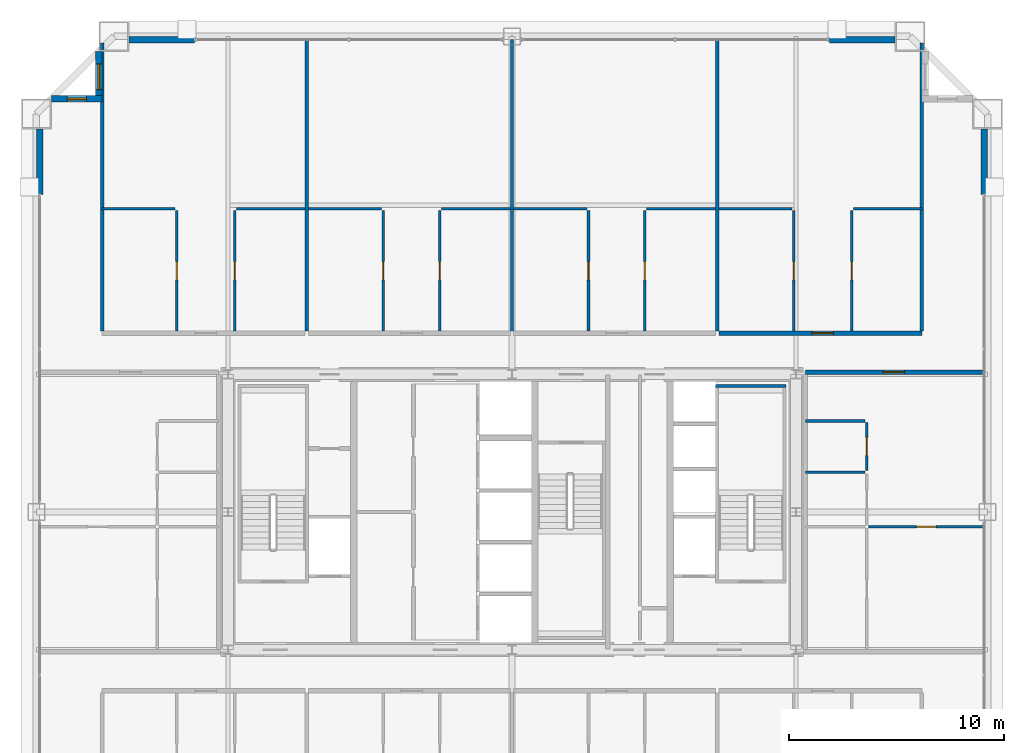
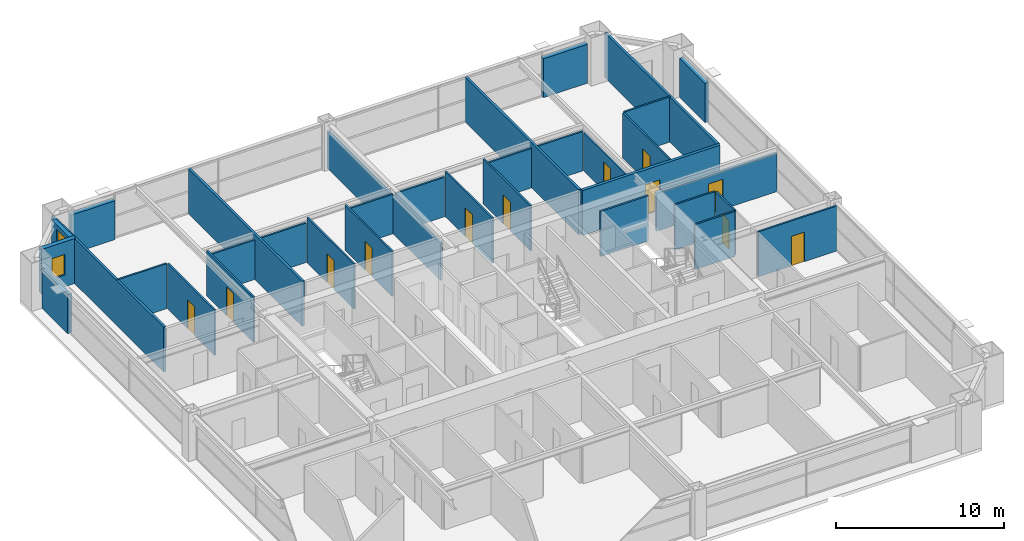
# One storey, part 36 of 38: 34 walls, 12 doors, 2 windows, 14 openings.
"""IFC4 building model written with IfcOpenShell, lengths in metres."""

from ifc_helpers import new_model, si_unit, direction, frame, frame_2d, origin, place, context, subcontext, project, spatial, rectangle, extrude, source, transform, mapped, material, layer, layer_set, type_object, element, fill, save


model = new_model("IFC4")

# Units and contexts
model_context = context("Model", 3, precision=1e-05, world=origin(), true_north=direction((0.0, 1.0)))
body_context = subcontext(model_context, "Body", "Model", "MODEL_VIEW")
ifc_project = project(units=[si_unit("LENGTHUNIT", "METRE"), si_unit("AREAUNIT", "SQUARE_METRE"), si_unit("VOLUMEUNIT", "CUBIC_METRE"), si_unit("PLANEANGLEUNIT", "RADIAN"), si_unit("MASSUNIT", "GRAM", prefix="KILO"), si_unit("THERMODYNAMICTEMPERATUREUNIT", "KELVIN"), si_unit("POWERUNIT", "WATT")], contexts=[model_context])

# Site, building, storey
site_placement = place(None, origin())
site = spatial("IfcSite", under=ifc_project, at=site_placement, CompositionType="ELEMENT")
building_placement = place(site_placement, origin())
building = spatial("IfcBuilding", under=site, at=building_placement, Name="Yuzanri Waterfront Tower", CompositionType="ELEMENT")
storey_placement = place(building_placement, frame((0.0, 0.0, 181.0)))
storey = spatial("IfcBuildingStorey", under=building, at=storey_placement, Name="L47", CompositionType="ELEMENT", Elevation=181.0)

# Wall, opening, door
ifc_material_1 = material(Name="Moisture-Resistant Gypsum Stud Wall", Category="gypsum")
ifc_layer_1 = layer(ifc_material_1, 0.1201171875)
ifc_layer_set_1 = layer_set([ifc_layer_1], Name="Moisture-Resistant Gypsum Stud Wall")
wall_type_1 = type_object("IfcWallType", Name="Bathroom and Kitchen Wet Partition 120", PredefinedType="PARTITIONING", material=ifc_layer_set_1)
wall_1_placement = place(storey_placement, frame((21.419921875, 34.2099609375, 0.0), z_axis=(0.0, 0.0, 1.0), x_axis=(0.0, 1.0, 0.0)))
wall_1 = element("IfcWall", 1, at=wall_1_placement, inside=storey, type_object=wall_type_1, Name="L47 Partition UW-L47-RN1-SUB-1-E", PredefinedType="PARTITIONING", context=body_context, shape_type="SweptSolid", body=[
    extrude(rectangle(XDim=5.610107421875, YDim=0.1201171875, at=frame_2d((2.80517578125, 0.0))), origin(), (0.0, 0.0, 1.0), 3.280029296875),
])
opening_1_placement = place(wall_1_placement, frame((2.3798828125, 0.0, 0.0)))
opening_1 = element("IfcOpeningElement", 2, at=opening_1_placement, cuts=wall_1, Name="Opening ID-0850", PredefinedType="OPENING", context=body_context, shape_type="SweptSolid", body=[
    extrude(rectangle(XDim=0.85009765625, YDim=2.10009765625, at=frame_2d((0.425048828125, 1.050048828125))), frame((0.0, 0.074951171875, 0.0), z_axis=(0.0, -1.0, 0.0), x_axis=(1.0, 0.0, 0.0)), (0.0, 0.0, 1.0), 0.14990234375),
])
ifc_material_2 = material(Name="Moisture-Resistant Lacquered Timber", Category="wood")
door_type_1 = type_object("IfcDoorType", Name="En-Suite Bathroom and Kitchen Swing Door 850x2100", OperationType="NOTDEFINED", PredefinedType="DOOR", material=ifc_material_2)
shared_shape_1 = source(origin(), body_context, "Body", "SweptSolid", [
    extrude(rectangle(XDim=0.85009765625, YDim=2.10009765625, at=frame_2d((0.425048828125, 1.050048828125))), frame((0.0, 0.02490234375, 0.0), z_axis=(0.0, -1.0, 0.0), x_axis=(1.0, 0.0, 0.0)), (0.0, 0.0, 1.0), 0.050048828125),
])
door_1_placement = place(opening_1_placement, origin())
door_1 = element("IfcDoor", 3, at=door_1_placement, inside=storey, type_object=door_type_1, Name="L47 Suite Interior Room Door", OperationType="SINGLE_SWING_LEFT", OverallHeight=2.10009765625, OverallWidth=0.85009765625, PredefinedType="DOOR", context=body_context, shape_type="MappedRepresentation", body=[
    mapped(shared_shape_1, transform((0.0, 0.0, 0.0), scale=1.0)),
])
fill(opening_1, door_1)

wall_2_placement = place(storey_placement, frame((24.110107421875, 34.2099609375, 0.0), z_axis=(0.0, 0.0, 1.0), x_axis=(0.0, 1.0, 0.0)))
wall_2 = element("IfcWall", 4, at=wall_2_placement, inside=storey, type_object=wall_type_1, Name="L47 Partition UW-L47-RN1-SUB-2-W", PredefinedType="PARTITIONING", context=body_context, shape_type="SweptSolid", body=[
    extrude(rectangle(XDim=5.610107421875, YDim=0.1201171875, at=frame_2d((2.80517578125, 0.0))), origin(), (0.0, 0.0, 1.0), 3.280029296875),
])
opening_2_placement = place(wall_2_placement, frame((2.3798828125, 0.0, 0.0)))
opening_2 = element("IfcOpeningElement", 5, at=opening_2_placement, cuts=wall_2, Name="Opening ID-0850", PredefinedType="OPENING", context=body_context, shape_type="SweptSolid", body=[
    extrude(rectangle(XDim=0.85009765625, YDim=2.10009765625, at=frame_2d((0.425048828125, 1.050048828125))), frame((0.0, 0.074951171875, 0.0), z_axis=(0.0, -1.0, 0.0), x_axis=(1.0, 0.0, 0.0)), (0.0, 0.0, 1.0), 0.14990234375),
])
door_2_placement = place(opening_2_placement, origin())
door_2 = element("IfcDoor", 6, at=door_2_placement, inside=storey, type_object=door_type_1, Name="L47 Suite Interior Room Door", OperationType="SINGLE_SWING_RIGHT", OverallHeight=2.10009765625, OverallWidth=0.85009765625, PredefinedType="DOOR", context=body_context, shape_type="MappedRepresentation", body=[
    mapped(shared_shape_1, transform((0.0, 0.0, 0.0), scale=1.0)),
])
fill(opening_2, door_2)

wall_3_placement = place(storey_placement, frame((31.02392578125, 34.2099609375, 0.0), z_axis=(0.0, 0.0, 1.0), x_axis=(0.0, 1.0, 0.0)))
wall_3 = element("IfcWall", 7, at=wall_3_placement, inside=storey, type_object=wall_type_1, Name="L47 Partition UW-L47-RN2-SUB-1-E", PredefinedType="PARTITIONING", context=body_context, shape_type="SweptSolid", body=[
    extrude(rectangle(XDim=5.610107421875, YDim=0.1201171875, at=frame_2d((2.80517578125, 0.0))), origin(), (0.0, 0.0, 1.0), 3.280029296875),
])
opening_3_placement = place(wall_3_placement, frame((2.3798828125, 0.0, 0.0)))
opening_3 = element("IfcOpeningElement", 8, at=opening_3_placement, cuts=wall_3, Name="Opening ID-0850", PredefinedType="OPENING", context=body_context, shape_type="SweptSolid", body=[
    extrude(rectangle(XDim=0.85009765625, YDim=2.10009765625, at=frame_2d((0.425048828125, 1.050048828125))), frame((0.0, 0.074951171875, 0.0), z_axis=(0.0, -1.0, 0.0), x_axis=(1.0, 0.0, 0.0)), (0.0, 0.0, 1.0), 0.14990234375),
])
door_3_placement = place(opening_3_placement, origin())
door_3 = element("IfcDoor", 9, at=door_3_placement, inside=storey, type_object=door_type_1, Name="L47 Suite Interior Room Door", OperationType="SINGLE_SWING_RIGHT", OverallHeight=2.10009765625, OverallWidth=0.85009765625, PredefinedType="DOOR", context=body_context, shape_type="MappedRepresentation", body=[
    mapped(shared_shape_1, transform((0.0, 0.0, 0.0), scale=1.0)),
])
fill(opening_3, door_3)

wall_4_placement = place(storey_placement, frame((33.639892578125, 34.2099609375, 0.0), z_axis=(0.0, 0.0, 1.0), x_axis=(0.0, 1.0, 0.0)))
wall_4 = element("IfcWall", 10, at=wall_4_placement, inside=storey, type_object=wall_type_1, Name="L47 Partition UW-L47-RN2-SUB-2-W", PredefinedType="PARTITIONING", context=body_context, shape_type="SweptSolid", body=[
    extrude(rectangle(XDim=5.610107421875, YDim=0.1201171875, at=frame_2d((2.80517578125, 0.0))), origin(), (0.0, 0.0, 1.0), 3.280029296875),
])
opening_4_placement = place(wall_4_placement, frame((2.3798828125, 0.0, 0.0)))
opening_4 = element("IfcOpeningElement", 11, at=opening_4_placement, cuts=wall_4, Name="Opening ID-0850", PredefinedType="OPENING", context=body_context, shape_type="SweptSolid", body=[
    extrude(rectangle(XDim=0.85009765625, YDim=2.10009765625, at=frame_2d((0.425048828125, 1.050048828125))), frame((0.0, 0.074951171875, 0.0), z_axis=(0.0, -1.0, 0.0), x_axis=(1.0, 0.0, 0.0)), (0.0, 0.0, 1.0), 0.14990234375),
])
door_4_placement = place(opening_4_placement, origin())
door_4 = element("IfcDoor", 12, at=door_4_placement, inside=storey, type_object=door_type_1, Name="L47 Suite Interior Room Door", OperationType="SINGLE_SWING_LEFT", OverallHeight=2.10009765625, OverallWidth=0.85009765625, PredefinedType="DOOR", context=body_context, shape_type="MappedRepresentation", body=[
    mapped(shared_shape_1, transform((0.0, 0.0, 0.0), scale=1.0)),
])
fill(opening_4, door_4)

wall_5_placement = place(storey_placement, frame((40.553955078125, 34.2099609375, 0.0), z_axis=(0.0, 0.0, 1.0), x_axis=(0.0, 1.0, 0.0)))
wall_5 = element("IfcWall", 13, at=wall_5_placement, inside=storey, type_object=wall_type_1, Name="L47 Partition UW-L47-RN3-SUB-1-E", PredefinedType="PARTITIONING", context=body_context, shape_type="SweptSolid", body=[
    extrude(rectangle(XDim=5.610107421875, YDim=0.1201171875, at=frame_2d((2.80517578125, 0.0))), origin(), (0.0, 0.0, 1.0), 3.280029296875),
])
opening_5_placement = place(wall_5_placement, frame((2.3798828125, 0.0, 0.0)))
opening_5 = element("IfcOpeningElement", 14, at=opening_5_placement, cuts=wall_5, Name="Opening ID-0850", PredefinedType="OPENING", context=body_context, shape_type="SweptSolid", body=[
    extrude(rectangle(XDim=0.85009765625, YDim=2.10009765625, at=frame_2d((0.425048828125, 1.050048828125))), frame((0.0, 0.074951171875, 0.0), z_axis=(0.0, -1.0, 0.0), x_axis=(1.0, 0.0, 0.0)), (0.0, 0.0, 1.0), 0.14990234375),
])
door_5_placement = place(opening_5_placement, origin())
door_5 = element("IfcDoor", 15, at=door_5_placement, inside=storey, type_object=door_type_1, Name="L47 Suite Interior Room Door", OperationType="SINGLE_SWING_LEFT", OverallHeight=2.10009765625, OverallWidth=0.85009765625, PredefinedType="DOOR", context=body_context, shape_type="MappedRepresentation", body=[
    mapped(shared_shape_1, transform((0.0, 0.0, 0.0), scale=1.0)),
])
fill(opening_5, door_5)

wall_6_placement = place(storey_placement, frame((43.169921875, 34.2099609375, 0.0), z_axis=(0.0, 0.0, 1.0), x_axis=(0.0, 1.0, 0.0)))
wall_6 = element("IfcWall", 16, at=wall_6_placement, inside=storey, type_object=wall_type_1, Name="L47 Partition UW-L47-RN3-SUB-2-W", PredefinedType="PARTITIONING", context=body_context, shape_type="SweptSolid", body=[
    extrude(rectangle(XDim=5.610107421875, YDim=0.1201171875, at=frame_2d((2.80517578125, 0.0))), origin(), (0.0, 0.0, 1.0), 3.280029296875),
])
opening_6_placement = place(wall_6_placement, frame((2.3798828125, 0.0, 0.0)))
opening_6 = element("IfcOpeningElement", 17, at=opening_6_placement, cuts=wall_6, Name="Opening ID-0850", PredefinedType="OPENING", context=body_context, shape_type="SweptSolid", body=[
    extrude(rectangle(XDim=0.85009765625, YDim=2.10009765625, at=frame_2d((0.425048828125, 1.050048828125))), frame((0.0, 0.074951171875, 0.0), z_axis=(0.0, -1.0, 0.0), x_axis=(1.0, 0.0, 0.0)), (0.0, 0.0, 1.0), 0.14990234375),
])
door_6_placement = place(opening_6_placement, origin())
door_6 = element("IfcDoor", 18, at=door_6_placement, inside=storey, type_object=door_type_1, Name="L47 Suite Interior Room Door", OperationType="SINGLE_SWING_RIGHT", OverallHeight=2.10009765625, OverallWidth=0.85009765625, PredefinedType="DOOR", context=body_context, shape_type="MappedRepresentation", body=[
    mapped(shared_shape_1, transform((0.0, 0.0, 0.0), scale=1.0)),
])
fill(opening_6, door_6)

wall_7_placement = place(storey_placement, frame((50.090087890625, 34.2099609375, 0.0), z_axis=(0.0, 0.0, 1.0), x_axis=(0.0, 1.0, 0.0)))
wall_7 = element("IfcWall", 19, at=wall_7_placement, inside=storey, type_object=wall_type_1, Name="L47 Partition UW-L47-RN4-SUB-1-E", PredefinedType="PARTITIONING", context=body_context, shape_type="SweptSolid", body=[
    extrude(rectangle(XDim=5.610107421875, YDim=0.1201171875, at=frame_2d((2.80517578125, 0.0))), origin(), (0.0, 0.0, 1.0), 2.77490234375),
])
opening_7_placement = place(wall_7_placement, frame((2.3798828125, 0.0, 0.0)))
opening_7 = element("IfcOpeningElement", 20, at=opening_7_placement, cuts=wall_7, Name="Opening ID-0850", PredefinedType="OPENING", context=body_context, shape_type="SweptSolid", body=[
    extrude(rectangle(XDim=0.85009765625, YDim=2.10009765625, at=frame_2d((0.425048828125, 1.050048828125))), frame((0.0, 0.074951171875, 0.0), z_axis=(0.0, -1.0, 0.0), x_axis=(1.0, 0.0, 0.0)), (0.0, 0.0, 1.0), 0.14990234375),
])
door_7_placement = place(opening_7_placement, origin())
door_7 = element("IfcDoor", 21, at=door_7_placement, inside=storey, type_object=door_type_1, Name="L47 Suite Interior Room Door", OperationType="SINGLE_SWING_RIGHT", OverallHeight=2.10009765625, OverallWidth=0.85009765625, PredefinedType="DOOR", context=body_context, shape_type="MappedRepresentation", body=[
    mapped(shared_shape_1, transform((0.0, 0.0, 0.0), scale=1.0)),
])
fill(opening_7, door_7)

wall_8_placement = place(storey_placement, frame((52.780029296875, 34.2099609375, 0.0), z_axis=(0.0, 0.0, 1.0), x_axis=(0.0, 1.0, 0.0)))
wall_8 = element("IfcWall", 22, at=wall_8_placement, inside=storey, type_object=wall_type_1, Name="L47 Partition UW-L47-RN4-SUB-2-W", PredefinedType="PARTITIONING", context=body_context, shape_type="SweptSolid", body=[
    extrude(rectangle(XDim=5.610107421875, YDim=0.1201171875, at=frame_2d((2.80517578125, 0.0))), origin(), (0.0, 0.0, 1.0), 3.280029296875),
])
opening_8_placement = place(wall_8_placement, frame((2.3798828125, 0.0, 0.0)))
opening_8 = element("IfcOpeningElement", 23, at=opening_8_placement, cuts=wall_8, Name="Opening ID-0850", PredefinedType="OPENING", context=body_context, shape_type="SweptSolid", body=[
    extrude(rectangle(XDim=0.85009765625, YDim=2.10009765625, at=frame_2d((0.425048828125, 1.050048828125))), frame((0.0, 0.074951171875, 0.0), z_axis=(0.0, -1.0, 0.0), x_axis=(1.0, 0.0, 0.0)), (0.0, 0.0, 1.0), 0.14990234375),
])
door_8_placement = place(opening_8_placement, origin())
door_8 = element("IfcDoor", 24, at=door_8_placement, inside=storey, type_object=door_type_1, Name="L47 Suite Interior Room Door", OperationType="SINGLE_SWING_LEFT", OverallHeight=2.10009765625, OverallWidth=0.85009765625, PredefinedType="DOOR", context=body_context, shape_type="MappedRepresentation", body=[
    mapped(shared_shape_1, transform((0.0, 0.0, 0.0), scale=1.0)),
])
fill(opening_8, door_8)

wall_9_placement = place(storey_placement, frame((53.47998046875, 27.73193359375, 0.0), z_axis=(0.0, 0.0, 1.0), x_axis=(0.0, 1.0, 0.0)))
wall_9 = element("IfcWall", 25, at=wall_9_placement, inside=storey, type_object=wall_type_1, Name="L47 Partition UW-L47-RE1-SUB-2-E", PredefinedType="PARTITIONING", context=body_context, shape_type="SweptSolid", body=[
    extrude(rectangle(XDim=2.218994140625, YDim=0.1201171875, at=frame_2d((1.109375, 0.0))), origin(), (0.0, 0.0, 1.0), 3.280029296875),
])
opening_9_placement = place(wall_9_placement, frame((0.6845703125, 0.0, 0.0)))
opening_9 = element("IfcOpeningElement", 26, at=opening_9_placement, cuts=wall_9, Name="Opening ID-0850", PredefinedType="OPENING", context=body_context, shape_type="SweptSolid", body=[
    extrude(rectangle(XDim=0.85009765625, YDim=2.10009765625, at=frame_2d((0.425048828125, 1.050048828125))), frame((0.0, 0.074951171875, 0.0), z_axis=(0.0, -1.0, 0.0), x_axis=(1.0, 0.0, 0.0)), (0.0, 0.0, 1.0), 0.14990234375),
])
door_9_placement = place(opening_9_placement, origin())
door_9 = element("IfcDoor", 27, at=door_9_placement, inside=storey, type_object=door_type_1, Name="L47 Suite Interior Room Door", OperationType="SINGLE_SWING_LEFT", OverallHeight=2.10009765625, OverallWidth=0.85009765625, PredefinedType="DOOR", context=body_context, shape_type="MappedRepresentation", body=[
    mapped(shared_shape_1, transform((0.0, 0.0, 0.0), scale=1.0)),
])
fill(opening_9, door_9)

wall_10_placement = place(storey_placement, frame((53.56005859375, 25.113037109375, 0.0), z_axis=(0.0, 0.0, 1.0), x_axis=(1.0, 0.0, 0.0)))
wall_10 = element("IfcWall", 28, at=wall_10_placement, inside=storey, type_object=wall_type_1, Name="L47 Partition UW-L47-RE1-SUB-3-N", PredefinedType="PARTITIONING", context=body_context, shape_type="SweptSolid", body=[
    extrude(rectangle(XDim=5.389892578125, YDim=0.1201171875, at=frame_2d((2.69482421875, 0.0))), origin(), (0.0, 0.0, 1.0), 3.280029296875),
])
opening_10_placement = place(wall_10_placement, frame((2.2451171875, 0.0, 0.0)))
opening_10 = element("IfcOpeningElement", 29, at=opening_10_placement, cuts=wall_10, Name="Opening ID-0900", PredefinedType="OPENING", context=body_context, shape_type="SweptSolid", body=[
    extrude(rectangle(XDim=0.89990234375, YDim=2.14990234375, at=frame_2d((0.449951171875, 1.074951171875))), frame((0.0, 0.074951171875, 0.0), z_axis=(0.0, -1.0, 0.0), x_axis=(1.0, 0.0, 0.0)), (0.0, 0.0, 1.0), 0.14990234375),
])
ifc_material_3 = material(Name="Stained Walnut Veneer Timber", Category="wood")
door_type_2 = type_object("IfcDoorType", Name="Bedroom and Study Interior Swing Door 900x2150", OperationType="NOTDEFINED", PredefinedType="DOOR", material=ifc_material_3)
shared_shape_2 = source(origin(), body_context, "Body", "SweptSolid", [
    extrude(rectangle(XDim=0.89990234375, YDim=2.14990234375, at=frame_2d((0.449951171875, 1.074951171875))), frame((0.0, 0.02490234375, 0.0), z_axis=(0.0, -1.0, 0.0), x_axis=(1.0, 0.0, 0.0)), (0.0, 0.0, 1.0), 0.050048828125),
])
door_10_placement = place(opening_10_placement, origin())
door_10 = element("IfcDoor", 30, at=door_10_placement, inside=storey, type_object=door_type_2, Name="L47 Suite Interior Room Door", OperationType="SINGLE_SWING_RIGHT", OverallHeight=2.14990234375, OverallWidth=0.89990234375, PredefinedType="DOOR", context=body_context, shape_type="MappedRepresentation", body=[
    mapped(shared_shape_2, transform((0.0, 0.0, 0.0), scale=1.0)),
])
fill(opening_10, door_10)

# Wall, opening, window
ifc_material_4 = material(Name="Honed Chongqing Dark Basalt Stone", Category="masonry")
ifc_layer_2 = layer(ifc_material_4, 0.300048828125)
ifc_layer_set_2 = layer_set([ifc_layer_2], Name="Honed Chongqing Dark Basalt Stone")
wall_type_2 = type_object("IfcWallType", Name="Bronze Rainscreen Insulated Spandrel Portal Wall 300", PredefinedType="SOLIDWALL", material=ifc_layer_set_2)
wall_11_placement = place(storey_placement, frame((17.949951171875, 45.0, 0.0), z_axis=(0.0, 0.0, 1.0), x_axis=(-1.0, 0.0, 0.0)))
wall_11 = element("IfcWall", 31, at=wall_11_placement, inside=storey, type_object=wall_type_2, Name="L47 Notched Corner Masonry Wall NW-X", PredefinedType="SOLIDWALL", context=body_context, shape_type="SweptSolid", body=[
    extrude(rectangle(XDim=2.349853515625, YDim=0.300048828125, at=frame_2d((1.1748046875, 0.0))), origin(), (0.0, 0.0, 1.0), 3.280029296875),
])
opening_11_placement = place(wall_11_placement, frame((0.72509765625, 0.0, 0.85009765625)))
opening_11 = element("IfcOpeningElement", 32, at=opening_11_placement, cuts=wall_11, Name="Opening WN-05", PredefinedType="OPENING", context=body_context, shape_type="SweptSolid", body=[
    extrude(rectangle(XDim=0.89990234375, YDim=1.5, at=frame_2d((0.449951171875, 0.75))), frame((0.0, 0.1650390625, 0.0), z_axis=(0.0, -1.0, 0.0), x_axis=(1.0, 0.0, 0.0)), (0.0, 0.0, 1.0), 0.329833984375),
])
ifc_material_5 = material(Name="Double-Silver Low-E Insulated Glass", Category="glass")
window_type_1 = type_object("IfcWindowType", Name="Anodized Bronze Service and Stairwell Smoke-Vent Window 900x1500", PartitioningType="SINGLE_PANEL", PredefinedType="WINDOW", material=ifc_material_5)
shared_shape_3 = source(origin(), body_context, "Body", "SweptSolid", [
    extrude(rectangle(XDim=0.89990234375, YDim=1.5, at=frame_2d((0.449951171875, 0.75))), frame((0.0, 0.030029296875, 0.0), z_axis=(0.0, -1.0, 0.0), x_axis=(1.0, 0.0, 0.0)), (0.0, 0.0, 1.0), 0.06005859375),
])
window_1_placement = place(opening_11_placement, origin())
window_1 = element("IfcWindow", 33, at=window_1_placement, inside=storey, type_object=window_type_1, Name="L47 Notched Corner Window NW-X", OverallHeight=1.5, OverallWidth=0.89990234375, PartitioningType="SINGLE_PANEL", PredefinedType="WINDOW", context=body_context, shape_type="MappedRepresentation", body=[
    mapped(shared_shape_3, transform((0.0, 0.0, 0.0), scale=1.0)),
])
fill(opening_11, window_1)

wall_12_placement = place(storey_placement, frame((17.800048828125, 47.199951171875, 0.0), z_axis=(0.0, 0.0, 1.0), x_axis=(0.0, -1.0, 0.0)))
wall_12 = element("IfcWall", 34, at=wall_12_placement, inside=storey, type_object=wall_type_2, Name="L47 Notched Corner Masonry Wall NW-Y", PredefinedType="SOLIDWALL", context=body_context, shape_type="SweptSolid", body=[
    extrude(rectangle(XDim=2.349853515625, YDim=0.300048828125, at=frame_2d((1.1748046875, 0.0))), origin(), (0.0, 0.0, 1.0), 3.280029296875),
])
opening_12_placement = place(wall_12_placement, frame((0.574951171875, 0.0, 0.85009765625)))
opening_12 = element("IfcOpeningElement", 35, at=opening_12_placement, cuts=wall_12, Name="Opening WN-02", PredefinedType="OPENING", context=body_context, shape_type="SweptSolid", body=[
    extrude(rectangle(XDim=1.199951171875, YDim=2.10009765625, at=frame_2d((0.60009765625, 1.050048828125))), frame((0.0, 0.1650390625, 0.0), z_axis=(0.0, -1.0, 0.0), x_axis=(1.0, 0.0, 0.0)), (0.0, 0.0, 1.0), 0.329833984375),
])
ifc_material_6 = material(Name="Double-Silver Low-E Insulated Glass", Category="glass")
window_type_2 = type_object("IfcWindowType", Name="Anodized Bronze Notched Corner Deep-Set Slot Window 1200x2100", PartitioningType="SINGLE_PANEL", PredefinedType="WINDOW", material=ifc_material_6)
shared_shape_4 = source(origin(), body_context, "Body", "SweptSolid", [
    extrude(rectangle(XDim=1.199951171875, YDim=2.10009765625, at=frame_2d((0.60009765625, 1.050048828125))), frame((0.0, 0.030029296875, 0.0), z_axis=(0.0, -1.0, 0.0), x_axis=(1.0, 0.0, 0.0)), (0.0, 0.0, 1.0), 0.06005859375),
])
window_2_placement = place(opening_12_placement, origin())
window_2 = element("IfcWindow", 36, at=window_2_placement, inside=storey, type_object=window_type_2, Name="L47 Notched Corner Window NW-Y", OverallHeight=2.10009765625, OverallWidth=1.199951171875, PartitioningType="SINGLE_PANEL", PredefinedType="WINDOW", context=body_context, shape_type="MappedRepresentation", body=[
    mapped(shared_shape_4, transform((0.0, 0.0, 0.0), scale=1.0)),
])
fill(opening_12, window_2)

# Wall, opening, door
ifc_material_7 = material(Name="Autoclaved Aerated Concrete Blockwork", Category="masonry")
ifc_layer_3 = layer(ifc_material_7, 0.199951171875)
ifc_layer_set_3 = layer_set([ifc_layer_3], Name="Autoclaved Aerated Concrete Blockwork")
wall_type_3 = type_object("IfcWallType", Name="Corridor and Unit Party Fire Wall 200", PredefinedType="PARTITIONING", material=ifc_layer_set_3)
wall_13_placement = place(storey_placement, frame((46.610107421875, 34.110107421875, 0.0), z_axis=(0.0, 0.0, 1.0), x_axis=(1.0, 0.0, 0.0)))
wall_13 = element("IfcWall", 37, at=wall_13_placement, inside=storey, type_object=wall_type_3, Name="L47 Partition UW-L47-RN4-CS", PredefinedType="PARTITIONING", context=body_context, shape_type="SweptSolid", body=[
    extrude(rectangle(XDim=9.449951171875, YDim=0.199951171875, at=frame_2d((4.72509765625, 0.0))), origin(), (0.0, 0.0, 1.0), 3.280029296875),
])
opening_13_placement = place(wall_13_placement, frame((4.324951171875, 0.0, 0.0)))
opening_13 = element("IfcOpeningElement", 38, at=opening_13_placement, cuts=wall_13, Name="Opening FD-1000", PredefinedType="OPENING", context=body_context, shape_type="SweptSolid", body=[
    extrude(rectangle(XDim=1.0, YDim=2.199951171875, at=frame_2d((0.5, 1.10009765625))), frame((0.0, 0.11474609375, 0.0), z_axis=(0.0, -1.0, 0.0), x_axis=(1.0, 0.0, 0.0)), (0.0, 0.0, 1.0), 0.229736328125),
])
ifc_material_8 = material(Name="Engineered Oak Fire-Rated Timber", Category="wood")
door_type_3 = type_object("IfcDoorType", Name="Guestroom and Apartment Entrance Fire Door 1000x2200", OperationType="NOTDEFINED", PredefinedType="DOOR", material=ifc_material_8)
shared_shape_5 = source(origin(), body_context, "Body", "SweptSolid", [
    extrude(rectangle(XDim=1.0, YDim=2.199951171875, at=frame_2d((0.5, 1.10009765625))), frame((0.0, 0.02490234375, 0.0), z_axis=(0.0, -1.0, 0.0), x_axis=(1.0, 0.0, 0.0)), (0.0, 0.0, 1.0), 0.050048828125),
])
door_11_placement = place(opening_13_placement, origin())
door_11 = element("IfcDoor", 39, at=door_11_placement, inside=storey, type_object=door_type_3, Name="L47 Studio Living and Sleeping Room Entrance Door", OperationType="SINGLE_SWING_LEFT", OverallHeight=2.199951171875, OverallWidth=1.0, PredefinedType="DOOR", context=body_context, shape_type="MappedRepresentation", body=[
    mapped(shared_shape_5, transform((0.0, 0.0, 0.0), scale=1.0)),
])
fill(opening_13, door_11)

wall_14_placement = place(storey_placement, frame((50.64990234375, 32.2900390625, 0.0), z_axis=(0.0, 0.0, 1.0), x_axis=(1.0, 0.0, 0.0)))
wall_14 = element("IfcWall", 40, at=wall_14_placement, inside=storey, type_object=wall_type_3, Name="L47 Partition UW-L47-RE1-CN", PredefinedType="PARTITIONING", context=body_context, shape_type="SweptSolid", body=[
    extrude(rectangle(XDim=8.300048828125, YDim=0.199951171875, at=frame_2d((4.14990234375, 0.0))), origin(), (0.0, 0.0, 1.0), 2.77490234375),
])
opening_14_placement = place(wall_14_placement, frame((3.5849609375, 0.0, 0.0)))
opening_14 = element("IfcOpeningElement", 41, at=opening_14_placement, cuts=wall_14, Name="Opening FD-1000", PredefinedType="OPENING", context=body_context, shape_type="SweptSolid", body=[
    extrude(rectangle(XDim=1.0, YDim=2.199951171875, at=frame_2d((0.5, 1.10009765625))), frame((0.0, 0.11474609375, 0.0), z_axis=(0.0, -1.0, 0.0), x_axis=(1.0, 0.0, 0.0)), (0.0, 0.0, 1.0), 0.229736328125),
])
door_12_placement = place(opening_14_placement, origin())
door_12 = element("IfcDoor", 42, at=door_12_placement, inside=storey, type_object=door_type_3, Name="L47 Wing Residence Living and Dining Room Entrance Door", OperationType="SINGLE_SWING_LEFT", OverallHeight=2.199951171875, OverallWidth=1.0, PredefinedType="DOOR", context=body_context, shape_type="MappedRepresentation", body=[
    mapped(shared_shape_5, transform((0.0, 0.0, 0.0), scale=1.0)),
])
fill(opening_14, door_12)

# Walls
shared_shape_6 = source(origin(), body_context, "Body", "SweptSolid", [
    extrude(rectangle(XDim=3.050048828125, YDim=0.300048828125, at=frame_2d((1.52490234375, 0.0))), origin(), (0.0, 0.0, 1.0), 2.8349609375),
])
for number, where, z_axis, x_axis, name in (
    (43, (19.199951171875, 47.75, 0.0), (0.0, 0.0, 1.0), (1.0, 0.0, 0.0), "L47 N Left Braced Masonry Shoulder"),
    (44, (51.75, 47.75, 0.0), (0.0, 0.0, 1.0), (1.0, 0.0, 0.0), "L47 N Right Braced Masonry Shoulder"),
    (45, (15.050048828125, 40.550048828125, 0.0), (0.0, 0.0, 1.0), (0.0, 1.0, 0.0), "L47 W Right Braced Masonry Shoulder"),
    (46, (58.949951171875, 40.550048828125, 0.0), (0.0, 0.0, 1.0), (0.0, 1.0, 0.0), "L47 E Right Braced Masonry Shoulder"),
):
    element("IfcWall", number, at=place(storey_placement, frame(where, z_axis=z_axis, x_axis=x_axis)), inside=storey, type_object=wall_type_2, Name=name, PredefinedType="SOLIDWALL", context=body_context, shape_type="MappedRepresentation", body=[
        mapped(shared_shape_6, transform((0.0, 0.0, 0.0), scale=1.0)),
    ])
ifc_material_9 = material(Name="Concrete C40", Category="concrete")
ifc_layer_4 = layer(ifc_material_9, 0.139892578125)
ifc_layer_set_4 = layer_set([ifc_layer_4], Name="Concrete C40")
wall_type_4 = type_object("IfcWallType", Name="Core Stair Liner and Hoistway Shaft Wall 140", PredefinedType="SOLIDWALL", material=ifc_layer_set_4)
shared_shape_7 = source(origin(), body_context, "Body", "SweptSolid", [
    extrude(rectangle(XDim=3.280029296875, YDim=0.139892578125, at=frame_2d((1.64013671875, 0.0))), origin(), (0.0, 0.0, 1.0), 3.280029296875),
])
wall_15_placement = place(storey_placement, frame((46.4599609375, 31.64990234375, 0.0), z_axis=(0.0, 0.0, 1.0), x_axis=(1.0, 0.0, 0.0)))
element("IfcWall", 47, at=wall_15_placement, inside=storey, type_object=wall_type_4, Name="L47 Stair ST-02 North Shaft Wall", PredefinedType="SOLIDWALL", context=body_context, shape_type="MappedRepresentation", body=[
    mapped(shared_shape_7, transform((0.0, 0.0, 0.0), scale=1.0)),
])
shared_shape_8 = source(origin(), body_context, "Body", "SweptSolid", [
    extrude(rectangle(XDim=3.400146484375, YDim=0.1201171875, at=frame_2d((1.7001953125, 0.0))), origin(), (0.0, 0.0, 1.0), 3.280029296875),
])
wall_16_placement = place(storey_placement, frame((17.93994140625, 39.89990234375, 0.0), z_axis=(0.0, 0.0, 1.0), x_axis=(1.0, 0.0, 0.0)))
element("IfcWall", 48, at=wall_16_placement, inside=storey, type_object=wall_type_1, Name="L47 Partition UW-L47-RN1-SUB-1-N", PredefinedType="PARTITIONING", context=body_context, shape_type="MappedRepresentation", body=[
    mapped(shared_shape_8, transform((0.0, 0.0, 0.0), scale=1.0)),
])
shared_shape_9 = source(origin(), body_context, "Body", "SweptSolid", [
    extrude(rectangle(XDim=3.199951171875, YDim=0.1201171875, at=frame_2d((1.60009765625, 0.0))), origin(), (0.0, 0.0, 1.0), 2.875),
])
for number, where, z_axis, x_axis, name in (
    (49, (24.18994140625, 39.89990234375, 0.0), (0.0, 0.0, 1.0), (1.0, 0.0, 0.0), "L47 Partition UW-L47-RN1-SUB-2-N"),
    (50, (33.719970703125, 39.89990234375, 0.0), (0.0, 0.0, 1.0), (1.0, 0.0, 0.0), "L47 Partition UW-L47-RN2-SUB-2-N"),
    (51, (43.25, 39.89990234375, 0.0), (0.0, 0.0, 1.0), (1.0, 0.0, 0.0), "L47 Partition UW-L47-RN3-SUB-2-N"),
):
    element("IfcWall", number, at=place(storey_placement, frame(where, z_axis=z_axis, x_axis=x_axis)), inside=storey, type_object=wall_type_1, Name=name, PredefinedType="PARTITIONING", context=body_context, shape_type="MappedRepresentation", body=[
        mapped(shared_shape_9, transform((0.0, 0.0, 0.0), scale=1.0)),
    ])
shared_shape_10 = source(origin(), body_context, "Body", "SweptSolid", [
    extrude(rectangle(XDim=3.39404296875, YDim=0.1201171875, at=frame_2d((1.697021484375, 0.0))), origin(), (0.0, 0.0, 1.0), 2.875),
])
for number, where, z_axis, x_axis, name in (
    (52, (27.550048828125, 39.89990234375, 0.0), (0.0, 0.0, 1.0), (1.0, 0.0, 0.0), "L47 Partition UW-L47-RN2-SUB-1-N"),
    (53, (37.080078125, 39.89990234375, 0.0), (0.0, 0.0, 1.0), (1.0, 0.0, 0.0), "L47 Partition UW-L47-RN3-SUB-1-N"),
):
    element("IfcWall", number, at=place(storey_placement, frame(where, z_axis=z_axis, x_axis=x_axis)), inside=storey, type_object=wall_type_1, Name=name, PredefinedType="PARTITIONING", context=body_context, shape_type="MappedRepresentation", body=[
        mapped(shared_shape_10, transform((0.0, 0.0, 0.0), scale=1.0)),
    ])
shared_shape_11 = source(origin(), body_context, "Body", "SweptSolid", [
    extrude(rectangle(XDim=3.39990234375, YDim=0.1201171875, at=frame_2d((1.699951171875, 0.0))), origin(), (0.0, 0.0, 1.0), 2.875),
])
wall_17_placement = place(storey_placement, frame((46.610107421875, 39.89990234375, 0.0), z_axis=(0.0, 0.0, 1.0), x_axis=(1.0, 0.0, 0.0)))
element("IfcWall", 54, at=wall_17_placement, inside=storey, type_object=wall_type_1, Name="L47 Partition UW-L47-RN4-SUB-1-N", PredefinedType="PARTITIONING", context=body_context, shape_type="MappedRepresentation", body=[
    mapped(shared_shape_11, transform((0.0, 0.0, 0.0), scale=1.0)),
])
shared_shape_12 = source(origin(), body_context, "Body", "SweptSolid", [
    extrude(rectangle(XDim=3.199951171875, YDim=0.1201171875, at=frame_2d((1.60009765625, 0.0))), origin(), (0.0, 0.0, 1.0), 3.280029296875),
])
wall_18_placement = place(storey_placement, frame((52.860107421875, 39.89990234375, 0.0), z_axis=(0.0, 0.0, 1.0), x_axis=(1.0, 0.0, 0.0)))
element("IfcWall", 55, at=wall_18_placement, inside=storey, type_object=wall_type_1, Name="L47 Partition UW-L47-RN4-SUB-2-N", PredefinedType="PARTITIONING", context=body_context, shape_type="MappedRepresentation", body=[
    mapped(shared_shape_12, transform((0.0, 0.0, 0.0), scale=1.0)),
])
ifc_material_10 = material(Name="Gypsum Fireboard Acoustic Stud Wall", Category="gypsum")
ifc_layer_5 = layer(ifc_material_10, 0.159912109375)
ifc_layer_set_5 = layer_set([ifc_layer_5], Name="Gypsum Fireboard Acoustic Stud Wall")
wall_type_5 = type_object("IfcWallType", Name="Acoustic Suite Demising Partition 160", PredefinedType="PARTITIONING", material=ifc_layer_set_5)
shared_shape_13 = source(origin(), body_context, "Body", "SweptSolid", [
    extrude(rectangle(XDim=13.5400390625, YDim=0.159912109375, at=frame_2d((6.77001953125, 0.0))), origin(), (0.0, 0.0, 1.0), 3.280029296875),
])
for number, where, z_axis, x_axis, name in (
    (56, (27.469970703125, 34.2099609375, 0.0), (0.0, 0.0, 1.0), (0.0, 1.0, 0.0), "L47-RN1 Party Wall"),
    (57, (46.530029296875, 34.2099609375, 0.0), (0.0, 0.0, 1.0), (0.0, 1.0, 0.0), "L47-RN3 Party Wall"),
):
    element("IfcWall", number, at=place(storey_placement, frame(where, z_axis=z_axis, x_axis=x_axis)), inside=storey, type_object=wall_type_5, Name=name, PredefinedType="PARTITIONING", context=body_context, shape_type="MappedRepresentation", body=[
        mapped(shared_shape_13, transform((0.0, 0.0, 0.0), scale=1.0)),
    ])
shared_shape_14 = source(origin(), body_context, "Body", "SweptSolid", [
    extrude(rectangle(XDim=13.5400390625, YDim=0.159912109375, at=frame_2d((6.77001953125, 0.0))), origin(), (0.0, 0.0, 1.0), 2.68701171875),
])
wall_19_placement = place(storey_placement, frame((37.0, 34.2099609375, 0.0), z_axis=(0.0, 0.0, 1.0), x_axis=(0.0, 1.0, 0.0)))
element("IfcWall", 58, at=wall_19_placement, inside=storey, type_object=wall_type_5, Name="L47-RN2 Party Wall", PredefinedType="PARTITIONING", context=body_context, shape_type="MappedRepresentation", body=[
    mapped(shared_shape_14, transform((0.0, 0.0, 0.0), scale=1.0)),
])
shared_shape_15 = source(origin(), body_context, "Body", "SweptSolid", [
    extrude(rectangle(XDim=13.39013671875, YDim=0.159912109375, at=frame_2d((6.695068359375, 0.0))), origin(), (0.0, 0.0, 1.0), 3.280029296875),
])
for number, where, z_axis, x_axis, name in (
    (59, (17.949951171875, 34.2099609375, 0.0), (0.0, 0.0, 1.0), (0.0, 1.0, 0.0), "L47 North Band West End Wall"),
    (60, (56.050048828125, 34.2099609375, 0.0), (0.0, 0.0, 1.0), (0.0, 1.0, 0.0), "L47 North Band East End Wall"),
):
    element("IfcWall", number, at=place(storey_placement, frame(where, z_axis=z_axis, x_axis=x_axis)), inside=storey, type_object=wall_type_5, Name=name, PredefinedType="PARTITIONING", context=body_context, shape_type="MappedRepresentation", body=[
        mapped(shared_shape_15, transform((0.0, 0.0, 0.0), scale=1.0)),
    ])
shared_shape_16 = source(origin(), body_context, "Body", "SweptSolid", [
    extrude(rectangle(XDim=2.75, YDim=0.1201171875, at=frame_2d((1.375, 0.0))), origin(), (0.0, 0.0, 1.0), 3.280029296875),
])
for number, where, z_axis, x_axis, name in (
    (61, (50.64990234375, 27.652099609375, 0.0), (0.0, 0.0, 1.0), (1.0, 0.0, 0.0), "L47 Partition UW-L47-RE1-SUB-1-N"),
    (62, (50.64990234375, 30.031005859375, 0.0), (0.0, 0.0, 1.0), (1.0, 0.0, 0.0), "L47 Partition UW-L47-RE1-SUB-2-N"),
):
    element("IfcWall", number, at=place(storey_placement, frame(where, z_axis=z_axis, x_axis=x_axis)), inside=storey, type_object=wall_type_1, Name=name, PredefinedType="PARTITIONING", context=body_context, shape_type="MappedRepresentation", body=[
        mapped(shared_shape_16, transform((0.0, 0.0, 0.0), scale=1.0)),
    ])

save(model, "model.ifc")
